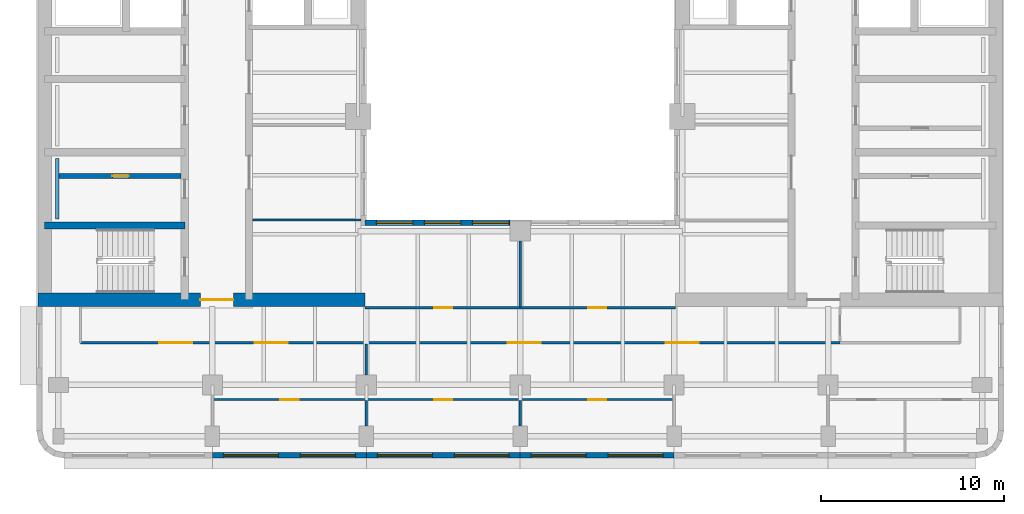
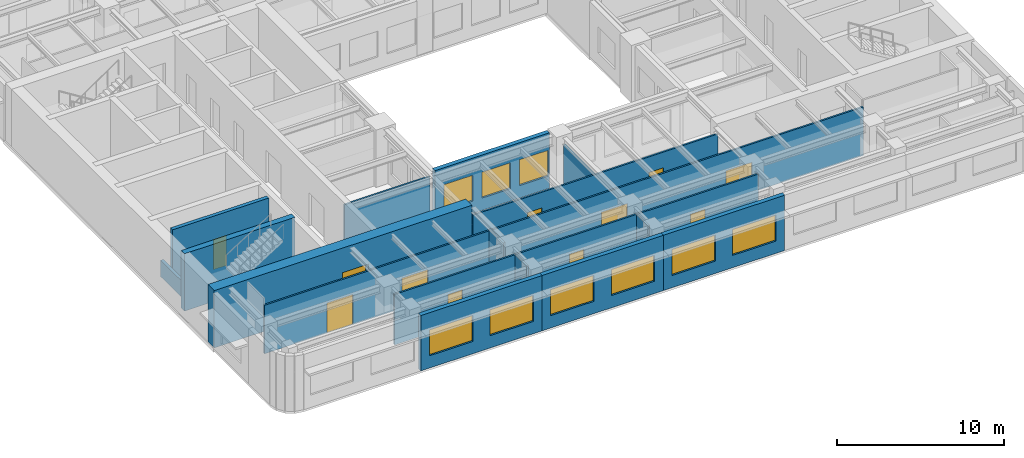
# One storey, part 3 of 11: 16 walls, 11 doors, 9 windows, 20 openings.
"""IFC4 building model written with IfcOpenShell, lengths in metres."""

from ifc_helpers import new_model, si_unit, direction, frame, frame_2d, origin, place, context, subcontext, project, spatial, rectangle, extrude, material, layer, layer_set, type_object, element, fill, save


model = new_model("IFC4")

# Units and contexts
model_context = context("Model", 3, precision=1e-05, world=origin(), true_north=direction((0.0, 1.0)))
body_context = subcontext(model_context, "Body", "Model", "MODEL_VIEW")
ifc_project = project(units=[si_unit("LENGTHUNIT", "METRE"), si_unit("AREAUNIT", "SQUARE_METRE"), si_unit("VOLUMEUNIT", "CUBIC_METRE"), si_unit("PLANEANGLEUNIT", "RADIAN"), si_unit("MASSUNIT", "GRAM", prefix="KILO")], contexts=[model_context])

# Site, building, storey
site_placement = place(None, origin())
site = spatial("IfcSite", under=ifc_project, at=site_placement, CompositionType="ELEMENT")
building_placement = place(site_placement, origin())
building = spatial("IfcBuilding", under=site, at=building_placement, Name="Claustro Exchange Tower", CompositionType="ELEMENT")
storey_placement = place(building_placement, frame((0.0, 0.0, 211.199951171875)))
storey = spatial("IfcBuildingStorey", under=building, at=storey_placement, Name="L48", CompositionType="ELEMENT", Elevation=211.199951171875)

# Wall
ifc_material_1 = material(Name="Laminated glass in aluminium frame", Category="aluminium")
ifc_layer_1 = layer(ifc_material_1, 0.1201171875)
ifc_layer_set_1 = layer_set([ifc_layer_1], Name="Laminated glass in aluminium frame")
wall_type_1 = type_object("IfcWallType", Name="P2 120 glazed partition", PredefinedType="PARTITIONING", material=ifc_layer_set_1)
wall_1_placement = place(storey_placement, frame((10.597900390625, 17.39990234375, 0.0), z_axis=(0.0, 0.0, 1.0), x_axis=(1.0, 0.0, 0.0)))
element("IfcWall", 1, at=wall_1_placement, inside=storey, type_object=wall_type_1, Name="Partition P2 L48", PredefinedType="PARTITIONING", context=body_context, shape_type="SweptSolid", body=[
    extrude(rectangle(XDim=5.904052734375, YDim=0.1201171875, at=frame_2d((2.9521484375, 0.0))), origin(), (0.0, 0.0, 1.0), 3.550048828125),
])

# Wall, openings, doors
wall_2_placement = place(storey_placement, frame((8.39990234375, 7.60009765625, 0.0), z_axis=(0.0, 0.0, 1.0), x_axis=(1.0, 0.0, 0.0)))
wall_2 = element("IfcWall", 2, at=wall_2_placement, inside=storey, type_object=wall_type_1, Name="Partition P2 L48", PredefinedType="PARTITIONING", context=body_context, shape_type="SweptSolid", body=[
    extrude(rectangle(XDim=25.2001953125, YDim=0.1201171875, at=frame_2d((12.60009765625, 0.0))), origin(), (0.0, 0.0, 1.0), 3.68994140625),
])
opening_1_placement = place(wall_2_placement, frame((3.699951171875, 0.0, 0.0)))
opening_1 = element("IfcOpeningElement", 3, at=opening_1_placement, cuts=wall_2, Name="Opening D7", PredefinedType="OPENING", context=body_context, shape_type="SweptSolid", body=[
    extrude(rectangle(XDim=1.0, YDim=2.39990234375, at=frame_2d((0.5, 1.199951171875))), frame((0.0, 0.070068359375, 0.0), z_axis=(0.0, -1.0, 0.0), x_axis=(1.0, 0.0, 0.0)), (0.0, 0.0, 1.0), 0.14013671875),
])
opening_2_placement = place(wall_2_placement, frame((12.10009765625, 0.0, 0.0)))
opening_2 = element("IfcOpeningElement", 4, at=opening_2_placement, cuts=wall_2, Name="Opening D7", PredefinedType="OPENING", context=body_context, shape_type="SweptSolid", body=[
    extrude(rectangle(XDim=1.0, YDim=2.39990234375, at=frame_2d((0.5, 1.199951171875))), frame((0.0, 0.070068359375, 0.0), z_axis=(0.0, -1.0, 0.0), x_axis=(1.0, 0.0, 0.0)), (0.0, 0.0, 1.0), 0.14013671875),
])
opening_3_placement = place(wall_2_placement, frame((20.5, 0.0, 0.0)))
opening_3 = element("IfcOpeningElement", 5, at=opening_3_placement, cuts=wall_2, Name="Opening D7", PredefinedType="OPENING", context=body_context, shape_type="SweptSolid", body=[
    extrude(rectangle(XDim=1.0, YDim=2.39990234375, at=frame_2d((0.5, 1.199951171875))), frame((0.0, 0.070068359375, 0.0), z_axis=(0.0, -1.0, 0.0), x_axis=(1.0, 0.0, 0.0)), (0.0, 0.0, 1.0), 0.14013671875),
])
ifc_material_2 = material(Name="Glass door in aluminium frame", Category="aluminium")
door_type_1 = type_object("IfcDoorType", Name="D7 1000 x 2400 glazed door", OperationType="SINGLE_SWING_LEFT", PredefinedType="DOOR", material=ifc_material_2)
door_1_placement = place(opening_1_placement, frame((1.0, 0.0, 0.0), z_axis=(0.0, 0.0, 1.0), x_axis=(-1.0, 0.0, 0.0)))
door_1 = element("IfcDoor", 6, at=door_1_placement, inside=storey, type_object=door_type_1, Name="Door D7 L48", OperationType="SINGLE_SWING_RIGHT", OverallHeight=2.39990234375, OverallWidth=1.0, PredefinedType="DOOR", context=body_context, shape_type="SweptSolid", body=[
    extrude(rectangle(XDim=1.0, YDim=2.39990234375, at=frame_2d((0.5, 1.199951171875))), frame((0.0, 0.02490234375, 0.0), z_axis=(0.0, -1.0, 0.0), x_axis=(1.0, 0.0, 0.0)), (0.0, 0.0, 1.0), 0.050048828125),
])
fill(opening_1, door_1)
door_2_placement = place(opening_2_placement, frame((1.0, 0.0, 0.0), z_axis=(0.0, 0.0, 1.0), x_axis=(-1.0, 0.0, 0.0)))
door_2 = element("IfcDoor", 7, at=door_2_placement, inside=storey, type_object=door_type_1, Name="Door D7 L48", OperationType="SINGLE_SWING_LEFT", OverallHeight=2.39990234375, OverallWidth=1.0, PredefinedType="DOOR", context=body_context, shape_type="SweptSolid", body=[
    extrude(rectangle(XDim=1.0, YDim=2.39990234375, at=frame_2d((0.5, 1.199951171875))), frame((0.0, 0.02490234375, 0.0), z_axis=(0.0, -1.0, 0.0), x_axis=(1.0, 0.0, 0.0)), (0.0, 0.0, 1.0), 0.050048828125),
])
fill(opening_2, door_2)
door_3_placement = place(opening_3_placement, frame((1.0, 0.0, 0.0), z_axis=(0.0, 0.0, 1.0), x_axis=(-1.0, 0.0, 0.0)))
door_3 = element("IfcDoor", 8, at=door_3_placement, inside=storey, type_object=door_type_1, Name="Door D7 L48", OperationType="SINGLE_SWING_RIGHT", OverallHeight=2.39990234375, OverallWidth=1.0, PredefinedType="DOOR", context=body_context, shape_type="SweptSolid", body=[
    extrude(rectangle(XDim=1.0, YDim=2.39990234375, at=frame_2d((0.5, 1.199951171875))), frame((0.0, 0.02490234375, 0.0), z_axis=(0.0, -1.0, 0.0), x_axis=(1.0, 0.0, 0.0)), (0.0, 0.0, 1.0), 0.050048828125),
])
fill(opening_3, door_3)

# Walls
for number, where, z_axis, x_axis, name in (
    (9, (16.800048828125, 6.14892578125, 0.0), (0.0, 0.0, 1.0), (0.0, 1.0, 0.0), "Partition P2 L48"),
    (10, (25.199951171875, 6.14892578125, 0.0), (0.0, 0.0, 1.0), (0.0, 1.0, 0.0), "Partition P2 L48"),
):
    element("IfcWall", number, at=place(storey_placement, frame(where, z_axis=z_axis, x_axis=x_axis)), inside=storey, type_object=wall_type_1, Name=name, PredefinedType="PARTITIONING", context=body_context, shape_type="SweptSolid", body=[
        extrude(rectangle(XDim=1.39306640625, YDim=0.1201171875, at=frame_2d((0.696533203125, 0.0))), origin(), (0.0, 0.0, 1.0), 3.68994140625),
    ])
wall_3_placement = place(storey_placement, frame((16.800048828125, 8.948974609375, 0.0), z_axis=(0.0, 0.0, 1.0), x_axis=(0.0, 1.0, 0.0)))
element("IfcWall", 11, at=wall_3_placement, inside=storey, type_object=wall_type_1, Name="Partition P2 L48", PredefinedType="PARTITIONING", context=body_context, shape_type="SweptSolid", body=[
    extrude(rectangle(XDim=1.693115234375, YDim=0.1201171875, at=frame_2d((0.8466796875, 0.0))), origin(), (0.0, 0.0, 1.0), 3.68994140625),
])

# Wall, openings, doors
wall_4_placement = place(storey_placement, frame((1.199951171875, 10.699951171875, 0.0), z_axis=(0.0, 0.0, 1.0), x_axis=(1.0, 0.0, 0.0)))
wall_4 = element("IfcWall", 12, at=wall_4_placement, inside=storey, type_object=wall_type_1, Name="Partition P2 L48", PredefinedType="PARTITIONING", context=body_context, shape_type="SweptSolid", body=[
    extrude(rectangle(XDim=41.4521484375, YDim=0.1201171875, at=frame_2d((20.72607421875, 0.0))), origin(), (0.0, 0.0, 1.0), 3.550048828125),
])
opening_4_placement = place(wall_4_placement, frame((4.300048828125, 0.0, 0.0)))
opening_4 = element("IfcOpeningElement", 13, at=opening_4_placement, cuts=wall_4, Name="Opening D2", PredefinedType="OPENING", context=body_context, shape_type="SweptSolid", body=[
    extrude(rectangle(XDim=1.800048828125, YDim=2.199951171875, at=frame_2d((0.89990234375, 1.10009765625))), frame((0.0, 0.070068359375, 0.0), z_axis=(0.0, -1.0, 0.0), x_axis=(1.0, 0.0, 0.0)), (0.0, 0.0, 1.0), 0.14013671875),
])
opening_5_placement = place(wall_4_placement, frame((9.5, 0.0, 0.0)))
opening_5 = element("IfcOpeningElement", 14, at=opening_5_placement, cuts=wall_4, Name="Opening D2", PredefinedType="OPENING", context=body_context, shape_type="SweptSolid", body=[
    extrude(rectangle(XDim=1.800048828125, YDim=2.199951171875, at=frame_2d((0.89990234375, 1.10009765625))), frame((0.0, 0.070068359375, 0.0), z_axis=(0.0, -1.0, 0.0), x_axis=(1.0, 0.0, 0.0)), (0.0, 0.0, 1.0), 0.14013671875),
])
opening_6_placement = place(wall_4_placement, frame((23.316650390625, 0.0, 0.0)))
opening_6 = element("IfcOpeningElement", 15, at=opening_6_placement, cuts=wall_4, Name="Opening D2", PredefinedType="OPENING", context=body_context, shape_type="SweptSolid", body=[
    extrude(rectangle(XDim=1.800048828125, YDim=2.199951171875, at=frame_2d((0.89990234375, 1.10009765625))), frame((0.0, 0.070068359375, 0.0), z_axis=(0.0, -1.0, 0.0), x_axis=(1.0, 0.0, 0.0)), (0.0, 0.0, 1.0), 0.14013671875),
])
opening_7_placement = place(wall_4_placement, frame((31.933349609375, 0.0, 0.0)))
opening_7 = element("IfcOpeningElement", 16, at=opening_7_placement, cuts=wall_4, Name="Opening D2", PredefinedType="OPENING", context=body_context, shape_type="SweptSolid", body=[
    extrude(rectangle(XDim=1.800048828125, YDim=2.199951171875, at=frame_2d((0.89990234375, 1.10009765625))), frame((0.0, 0.070068359375, 0.0), z_axis=(0.0, -1.0, 0.0), x_axis=(1.0, 0.0, 0.0)), (0.0, 0.0, 1.0), 0.14013671875),
])
ifc_material_3 = material(Name="Timber door, oak veneer", Category="wood")
door_type_2 = type_object("IfcDoorType", Name="D2 1800 x 2200 double door", OperationType="DOUBLE_DOOR_SINGLE_SWING", PredefinedType="DOOR", material=ifc_material_3)
door_4_placement = place(opening_4_placement, frame((1.800048828125, 0.0, 0.0), z_axis=(0.0, 0.0, 1.0), x_axis=(-1.0, 0.0, 0.0)))
door_4 = element("IfcDoor", 17, at=door_4_placement, inside=storey, type_object=door_type_2, Name="Double door D2 L48", OperationType="DOUBLE_DOOR_SINGLE_SWING", OverallHeight=2.199951171875, OverallWidth=1.800048828125, PredefinedType="DOOR", context=body_context, shape_type="SweptSolid", body=[
    extrude(rectangle(XDim=1.800048828125, YDim=2.199951171875, at=frame_2d((0.89990234375, 1.10009765625))), frame((0.0, 0.02490234375, 0.0), z_axis=(0.0, -1.0, 0.0), x_axis=(1.0, 0.0, 0.0)), (0.0, 0.0, 1.0), 0.050048828125),
])
fill(opening_4, door_4)
door_5_placement = place(opening_5_placement, frame((1.800048828125, 0.0, 0.0), z_axis=(0.0, 0.0, 1.0), x_axis=(-1.0, 0.0, 0.0)))
door_5 = element("IfcDoor", 18, at=door_5_placement, inside=storey, type_object=door_type_2, Name="Double door D2 L48", OperationType="DOUBLE_DOOR_SINGLE_SWING", OverallHeight=2.199951171875, OverallWidth=1.800048828125, PredefinedType="DOOR", context=body_context, shape_type="SweptSolid", body=[
    extrude(rectangle(XDim=1.800048828125, YDim=2.199951171875, at=frame_2d((0.89990234375, 1.10009765625))), frame((0.0, 0.02490234375, 0.0), z_axis=(0.0, -1.0, 0.0), x_axis=(1.0, 0.0, 0.0)), (0.0, 0.0, 1.0), 0.050048828125),
])
fill(opening_5, door_5)
door_6_placement = place(opening_6_placement, frame((1.800048828125, 0.0, 0.0), z_axis=(0.0, 0.0, 1.0), x_axis=(-1.0, 0.0, 0.0)))
door_6 = element("IfcDoor", 19, at=door_6_placement, inside=storey, type_object=door_type_2, Name="Double door D2 L48", OperationType="DOUBLE_DOOR_SINGLE_SWING", OverallHeight=2.199951171875, OverallWidth=1.800048828125, PredefinedType="DOOR", context=body_context, shape_type="SweptSolid", body=[
    extrude(rectangle(XDim=1.800048828125, YDim=2.199951171875, at=frame_2d((0.89990234375, 1.10009765625))), frame((0.0, 0.02490234375, 0.0), z_axis=(0.0, -1.0, 0.0), x_axis=(1.0, 0.0, 0.0)), (0.0, 0.0, 1.0), 0.050048828125),
])
fill(opening_6, door_6)
door_7_placement = place(opening_7_placement, frame((1.800048828125, 0.0, 0.0), z_axis=(0.0, 0.0, 1.0), x_axis=(-1.0, 0.0, 0.0)))
door_7 = element("IfcDoor", 20, at=door_7_placement, inside=storey, type_object=door_type_2, Name="Double door D2 L48", OperationType="DOUBLE_DOOR_SINGLE_SWING", OverallHeight=2.199951171875, OverallWidth=1.800048828125, PredefinedType="DOOR", context=body_context, shape_type="SweptSolid", body=[
    extrude(rectangle(XDim=1.800048828125, YDim=2.199951171875, at=frame_2d((0.89990234375, 1.10009765625))), frame((0.0, 0.02490234375, 0.0), z_axis=(0.0, -1.0, 0.0), x_axis=(1.0, 0.0, 0.0)), (0.0, 0.0, 1.0), 0.050048828125),
])
fill(opening_7, door_7)

# Wall
wall_5_placement = place(storey_placement, frame((25.199951171875, 12.657958984375, 0.0), z_axis=(0.0, 0.0, 1.0), x_axis=(0.0, 1.0, 0.0)))
element("IfcWall", 21, at=wall_5_placement, inside=storey, type_object=wall_type_1, Name="Partition P2 L48", PredefinedType="PARTITIONING", context=body_context, shape_type="SweptSolid", body=[
    extrude(rectangle(XDim=3.593017578125, YDim=0.1201171875, at=frame_2d((1.79638671875, 0.0))), origin(), (0.0, 0.0, 1.0), 3.550048828125),
])

# Wall, openings, doors
wall_6_placement = place(storey_placement, frame((16.72509765625, 12.614990234375, 0.0), z_axis=(0.0, 0.0, 1.0), x_axis=(1.0, 0.0, 0.0)))
wall_6 = element("IfcWall", 22, at=wall_6_placement, inside=storey, type_object=wall_type_1, Name="Partition P2 L48", PredefinedType="PARTITIONING", context=body_context, shape_type="SweptSolid", body=[
    extrude(rectangle(XDim=16.949951171875, YDim=0.1201171875, at=frame_2d((8.47509765625, 0.0))), origin(), (0.0, 0.0, 1.0), 3.550048828125),
])
opening_8_placement = place(wall_6_placement, frame((3.77490234375, 0.0, 0.0)))
opening_8 = element("IfcOpeningElement", 23, at=opening_8_placement, cuts=wall_6, Name="Opening D7", PredefinedType="OPENING", context=body_context, shape_type="SweptSolid", body=[
    extrude(rectangle(XDim=1.0, YDim=2.39990234375, at=frame_2d((0.5, 1.199951171875))), frame((0.0, 0.070068359375, 0.0), z_axis=(0.0, -1.0, 0.0), x_axis=(1.0, 0.0, 0.0)), (0.0, 0.0, 1.0), 0.14013671875),
])
opening_9_placement = place(wall_6_placement, frame((12.175048828125, 0.0, 0.0)))
opening_9 = element("IfcOpeningElement", 24, at=opening_9_placement, cuts=wall_6, Name="Opening D7", PredefinedType="OPENING", context=body_context, shape_type="SweptSolid", body=[
    extrude(rectangle(XDim=1.0, YDim=2.39990234375, at=frame_2d((0.5, 1.199951171875))), frame((0.0, 0.070068359375, 0.0), z_axis=(0.0, -1.0, 0.0), x_axis=(1.0, 0.0, 0.0)), (0.0, 0.0, 1.0), 0.14013671875),
])
door_8_placement = place(opening_8_placement, origin())
door_8 = element("IfcDoor", 25, at=door_8_placement, inside=storey, type_object=door_type_1, Name="Door D7 L48", OperationType="SINGLE_SWING_RIGHT", OverallHeight=2.39990234375, OverallWidth=1.0, PredefinedType="DOOR", context=body_context, shape_type="SweptSolid", body=[
    extrude(rectangle(XDim=1.0, YDim=2.39990234375, at=frame_2d((0.5, 1.199951171875))), frame((0.0, 0.02490234375, 0.0), z_axis=(0.0, -1.0, 0.0), x_axis=(1.0, 0.0, 0.0)), (0.0, 0.0, 1.0), 0.050048828125),
])
fill(opening_8, door_8)
door_9_placement = place(opening_9_placement, origin())
door_9 = element("IfcDoor", 26, at=door_9_placement, inside=storey, type_object=door_type_1, Name="Door D7 L48", OperationType="SINGLE_SWING_RIGHT", OverallHeight=2.39990234375, OverallWidth=1.0, PredefinedType="DOOR", context=body_context, shape_type="SweptSolid", body=[
    extrude(rectangle(XDim=1.0, YDim=2.39990234375, at=frame_2d((0.5, 1.199951171875))), frame((0.0, 0.02490234375, 0.0), z_axis=(0.0, -1.0, 0.0), x_axis=(1.0, 0.0, 0.0)), (0.0, 0.0, 1.0), 0.050048828125),
])
fill(opening_9, door_9)

# Wall, opening, door
ifc_material_4 = material(Name="Concrete blockwork, rendered", Category="masonry")
ifc_layer_2 = layer(ifc_material_4, 0.25)
ifc_layer_set_2 = layer_set([ifc_layer_2], Name="Concrete blockwork, rendered")
wall_type_2 = type_object("IfcWallType", Name="P4 250 blockwork wall", PredefinedType="PARTITIONING", material=ifc_layer_set_2)
wall_7_placement = place(storey_placement, frame((0.02490234375, 19.800048828125, 0.0), z_axis=(0.0, 0.0, 1.0), x_axis=(1.0, 0.0, 0.0)))
wall_7 = element("IfcWall", 27, at=wall_7_placement, inside=storey, type_object=wall_type_2, Name="Partition P4 L48", PredefinedType="PARTITIONING", context=body_context, shape_type="SweptSolid", body=[
    extrude(rectangle(XDim=6.675048828125, YDim=0.25, at=frame_2d((3.33740234375, 0.0))), origin(), (0.0, 0.0, 1.0), 4.0),
])
opening_10_placement = place(wall_7_placement, frame((2.91259765625, 0.0, 0.0)))
opening_10 = element("IfcOpeningElement", 28, at=opening_10_placement, cuts=wall_7, Name="Opening D5", PredefinedType="OPENING", context=body_context, shape_type="SweptSolid", body=[
    extrude(rectangle(XDim=0.89990234375, YDim=2.199951171875, at=frame_2d((0.449951171875, 1.10009765625))), frame((0.0, 0.135009765625, 0.0), z_axis=(0.0, -1.0, 0.0), x_axis=(1.0, 0.0, 0.0)), (0.0, 0.0, 1.0), 0.27001953125),
])
ifc_material_5 = material(Name="Steel door, painted", Category="steel")
door_type_3 = type_object("IfcDoorType", Name="D5 900 x 2200 store door", OperationType="SINGLE_SWING_LEFT", PredefinedType="DOOR", material=ifc_material_5)
door_10_placement = place(opening_10_placement, origin())
door_10 = element("IfcDoor", 29, at=door_10_placement, inside=storey, type_object=door_type_3, Name="Store door D5 L48", OperationType="SINGLE_SWING_RIGHT", OverallHeight=2.199951171875, OverallWidth=0.89990234375, PredefinedType="DOOR", context=body_context, shape_type="SweptSolid", body=[
    extrude(rectangle(XDim=0.89990234375, YDim=2.199951171875, at=frame_2d((0.449951171875, 1.10009765625))), frame((0.0, 0.02490234375, 0.0), z_axis=(0.0, -1.0, 0.0), x_axis=(1.0, 0.0, 0.0)), (0.0, 0.0, 1.0), 0.050048828125),
])
fill(opening_10, door_10)

# Wall, openings, windows
ifc_material_6 = material(Name="Concrete HA-40 (C40/50), precast, white cement, acid-etched", Category="concrete")
ifc_layer_3 = layer(ifc_material_6, 0.300048828125)
ifc_layer_set_3 = layer_set([ifc_layer_3], Name="Concrete HA-40 (C40/50), precast, white cement, acid-etched")
wall_type_3 = type_object("IfcWallType", Name="PC1 300 precast concrete pier panel", PredefinedType="SOLIDWALL", material=ifc_layer_set_3)
wall_8_placement = place(storey_placement, frame((33.60009765625, 4.550048828125, 0.0), z_axis=(0.0, 0.0, 1.0), x_axis=(-1.0, 0.0, 0.0)))
wall_8 = element("IfcWall", 30, at=wall_8_placement, inside=storey, type_object=wall_type_3, Name="Precast pier panel PC1 L48", PredefinedType="SOLIDWALL", context=body_context, shape_type="SweptSolid", body=[
    extrude(rectangle(XDim=8.400146484375, YDim=0.300048828125, at=frame_2d((4.2001953125, 0.0))), origin(), (0.0, 0.0, 1.0), 4.050048828125),
])
opening_11_placement = place(wall_8_placement, frame((0.60009765625, 0.0, 0.89990234375)))
opening_11 = element("IfcOpeningElement", 31, at=opening_11_placement, cuts=wall_8, Name="Opening W1", PredefinedType="OPENING", context=body_context, shape_type="SweptSolid", body=[
    extrude(rectangle(XDim=3.0, YDim=1.89990234375, at=frame_2d((1.5, 0.949951171875))), frame((0.0, 0.159912109375, 0.0), z_axis=(0.0, -1.0, 0.0), x_axis=(1.0, 0.0, 0.0)), (0.0, 0.0, 1.0), 0.320068359375),
])
opening_12_placement = place(wall_8_placement, frame((4.800048828125, 0.0, 0.89990234375)))
opening_12 = element("IfcOpeningElement", 32, at=opening_12_placement, cuts=wall_8, Name="Opening W1", PredefinedType="OPENING", context=body_context, shape_type="SweptSolid", body=[
    extrude(rectangle(XDim=3.0, YDim=1.89990234375, at=frame_2d((1.5, 0.949951171875))), frame((0.0, 0.159912109375, 0.0), z_axis=(0.0, -1.0, 0.0), x_axis=(1.0, 0.0, 0.0)), (0.0, 0.0, 1.0), 0.320068359375),
])
ifc_material_7 = material(Name="Aluminium frame, clear double glazing", Category="aluminium")
window_type_1 = type_object("IfcWindowType", Name="W1 3000 x 1900 window", PartitioningType="SINGLE_PANEL", PredefinedType="WINDOW", material=ifc_material_7)
window_1_placement = place(opening_11_placement, origin())
window_1 = element("IfcWindow", 33, at=window_1_placement, inside=storey, type_object=window_type_1, Name="Window W1 L48", OverallHeight=1.89990234375, OverallWidth=3.0, PartitioningType="SINGLE_PANEL", PredefinedType="WINDOW", context=body_context, shape_type="SweptSolid", body=[
    extrude(rectangle(XDim=3.0, YDim=1.89990234375, at=frame_2d((1.5, 0.949951171875))), frame((0.0, 0.030029296875, 0.0), z_axis=(0.0, -1.0, 0.0), x_axis=(1.0, 0.0, 0.0)), (0.0, 0.0, 1.0), 0.06005859375),
])
fill(opening_11, window_1)
window_2_placement = place(opening_12_placement, origin())
window_2 = element("IfcWindow", 34, at=window_2_placement, inside=storey, type_object=window_type_1, Name="Window W1 L48", OverallHeight=1.89990234375, OverallWidth=3.0, PartitioningType="SINGLE_PANEL", PredefinedType="WINDOW", context=body_context, shape_type="SweptSolid", body=[
    extrude(rectangle(XDim=3.0, YDim=1.89990234375, at=frame_2d((1.5, 0.949951171875))), frame((0.0, 0.030029296875, 0.0), z_axis=(0.0, -1.0, 0.0), x_axis=(1.0, 0.0, 0.0)), (0.0, 0.0, 1.0), 0.06005859375),
])
fill(opening_12, window_2)

wall_9_placement = place(storey_placement, frame((25.199951171875, 4.550048828125, 0.0), z_axis=(0.0, 0.0, 1.0), x_axis=(-1.0, 0.0, 0.0)))
wall_9 = element("IfcWall", 35, at=wall_9_placement, inside=storey, type_object=wall_type_3, Name="Precast pier panel PC1 L48", PredefinedType="SOLIDWALL", context=body_context, shape_type="SweptSolid", body=[
    extrude(rectangle(XDim=8.39990234375, YDim=0.300048828125, at=frame_2d((4.199951171875, 0.0))), origin(), (0.0, 0.0, 1.0), 4.050048828125),
])
opening_13_placement = place(wall_9_placement, frame((0.60009765625, 0.0, 0.89990234375)))
opening_13 = element("IfcOpeningElement", 36, at=opening_13_placement, cuts=wall_9, Name="Opening W1", PredefinedType="OPENING", context=body_context, shape_type="SweptSolid", body=[
    extrude(rectangle(XDim=3.0, YDim=1.89990234375, at=frame_2d((1.5, 0.949951171875))), frame((0.0, 0.159912109375, 0.0), z_axis=(0.0, -1.0, 0.0), x_axis=(1.0, 0.0, 0.0)), (0.0, 0.0, 1.0), 0.320068359375),
])
opening_14_placement = place(wall_9_placement, frame((4.800048828125, 0.0, 0.89990234375)))
opening_14 = element("IfcOpeningElement", 37, at=opening_14_placement, cuts=wall_9, Name="Opening W1", PredefinedType="OPENING", context=body_context, shape_type="SweptSolid", body=[
    extrude(rectangle(XDim=3.0, YDim=1.89990234375, at=frame_2d((1.5, 0.949951171875))), frame((0.0, 0.159912109375, 0.0), z_axis=(0.0, -1.0, 0.0), x_axis=(1.0, 0.0, 0.0)), (0.0, 0.0, 1.0), 0.320068359375),
])
window_3_placement = place(opening_13_placement, origin())
window_3 = element("IfcWindow", 38, at=window_3_placement, inside=storey, type_object=window_type_1, Name="Window W1 L48", OverallHeight=1.89990234375, OverallWidth=3.0, PartitioningType="SINGLE_PANEL", PredefinedType="WINDOW", context=body_context, shape_type="SweptSolid", body=[
    extrude(rectangle(XDim=3.0, YDim=1.89990234375, at=frame_2d((1.5, 0.949951171875))), frame((0.0, 0.030029296875, 0.0), z_axis=(0.0, -1.0, 0.0), x_axis=(1.0, 0.0, 0.0)), (0.0, 0.0, 1.0), 0.06005859375),
])
fill(opening_13, window_3)
window_4_placement = place(opening_14_placement, origin())
window_4 = element("IfcWindow", 39, at=window_4_placement, inside=storey, type_object=window_type_1, Name="Window W1 L48", OverallHeight=1.89990234375, OverallWidth=3.0, PartitioningType="SINGLE_PANEL", PredefinedType="WINDOW", context=body_context, shape_type="SweptSolid", body=[
    extrude(rectangle(XDim=3.0, YDim=1.89990234375, at=frame_2d((1.5, 0.949951171875))), frame((0.0, 0.030029296875, 0.0), z_axis=(0.0, -1.0, 0.0), x_axis=(1.0, 0.0, 0.0)), (0.0, 0.0, 1.0), 0.06005859375),
])
fill(opening_14, window_4)

wall_10_placement = place(storey_placement, frame((16.800048828125, 4.550048828125, 0.0), z_axis=(0.0, 0.0, 1.0), x_axis=(-1.0, 0.0, 0.0)))
wall_10 = element("IfcWall", 40, at=wall_10_placement, inside=storey, type_object=wall_type_3, Name="Precast pier panel PC1 L48", PredefinedType="SOLIDWALL", context=body_context, shape_type="SweptSolid", body=[
    extrude(rectangle(XDim=8.400146484375, YDim=0.300048828125, at=frame_2d((4.2001953125, 0.0))), origin(), (0.0, 0.0, 1.0), 4.050048828125),
])
opening_15_placement = place(wall_10_placement, frame((0.60009765625, 0.0, 0.89990234375)))
opening_15 = element("IfcOpeningElement", 41, at=opening_15_placement, cuts=wall_10, Name="Opening W1", PredefinedType="OPENING", context=body_context, shape_type="SweptSolid", body=[
    extrude(rectangle(XDim=3.0, YDim=1.89990234375, at=frame_2d((1.5, 0.949951171875))), frame((0.0, 0.159912109375, 0.0), z_axis=(0.0, -1.0, 0.0), x_axis=(1.0, 0.0, 0.0)), (0.0, 0.0, 1.0), 0.320068359375),
])
opening_16_placement = place(wall_10_placement, frame((4.800048828125, 0.0, 0.89990234375)))
opening_16 = element("IfcOpeningElement", 42, at=opening_16_placement, cuts=wall_10, Name="Opening W1", PredefinedType="OPENING", context=body_context, shape_type="SweptSolid", body=[
    extrude(rectangle(XDim=3.0, YDim=1.89990234375, at=frame_2d((1.5, 0.949951171875))), frame((0.0, 0.159912109375, 0.0), z_axis=(0.0, -1.0, 0.0), x_axis=(1.0, 0.0, 0.0)), (0.0, 0.0, 1.0), 0.320068359375),
])
window_5_placement = place(opening_15_placement, origin())
window_5 = element("IfcWindow", 43, at=window_5_placement, inside=storey, type_object=window_type_1, Name="Window W1 L48", OverallHeight=1.89990234375, OverallWidth=3.0, PartitioningType="SINGLE_PANEL", PredefinedType="WINDOW", context=body_context, shape_type="SweptSolid", body=[
    extrude(rectangle(XDim=3.0, YDim=1.89990234375, at=frame_2d((1.5, 0.949951171875))), frame((0.0, 0.030029296875, 0.0), z_axis=(0.0, -1.0, 0.0), x_axis=(1.0, 0.0, 0.0)), (0.0, 0.0, 1.0), 0.06005859375),
])
fill(opening_15, window_5)
window_6_placement = place(opening_16_placement, origin())
window_6 = element("IfcWindow", 44, at=window_6_placement, inside=storey, type_object=window_type_1, Name="Window W1 L48", OverallHeight=1.89990234375, OverallWidth=3.0, PartitioningType="SINGLE_PANEL", PredefinedType="WINDOW", context=body_context, shape_type="SweptSolid", body=[
    extrude(rectangle(XDim=3.0, YDim=1.89990234375, at=frame_2d((1.5, 0.949951171875))), frame((0.0, 0.030029296875, 0.0), z_axis=(0.0, -1.0, 0.0), x_axis=(1.0, 0.0, 0.0)), (0.0, 0.0, 1.0), 0.06005859375),
])
fill(opening_16, window_6)

wall_11_placement = place(storey_placement, frame((16.72509765625, 17.25, 0.0), z_axis=(0.0, 0.0, 1.0), x_axis=(1.0, 0.0, 0.0)))
wall_11 = element("IfcWall", 45, at=wall_11_placement, inside=storey, type_object=wall_type_3, Name="Precast pier panel PC1 L48", PredefinedType="SOLIDWALL", context=body_context, shape_type="SweptSolid", body=[
    extrude(rectangle(XDim=7.9248046875, YDim=0.300048828125, at=frame_2d((3.96240234375, 0.0))), origin(), (0.0, 0.0, 1.0), 4.050048828125),
])
opening_17_placement = place(wall_11_placement, frame((0.61865234375, 0.0, 0.89990234375)))
opening_17 = element("IfcOpeningElement", 46, at=opening_17_placement, cuts=wall_11, Name="Opening W4", PredefinedType="OPENING", context=body_context, shape_type="SweptSolid", body=[
    extrude(rectangle(XDim=2.0, YDim=1.89990234375, at=frame_2d((1.0, 0.949951171875))), frame((0.0, 0.159912109375, 0.0), z_axis=(0.0, -1.0, 0.0), x_axis=(1.0, 0.0, 0.0)), (0.0, 0.0, 1.0), 0.320068359375),
])
opening_18_placement = place(wall_11_placement, frame((3.237548828125, 0.0, 0.89990234375)))
opening_18 = element("IfcOpeningElement", 47, at=opening_18_placement, cuts=wall_11, Name="Opening W4", PredefinedType="OPENING", context=body_context, shape_type="SweptSolid", body=[
    extrude(rectangle(XDim=2.0, YDim=1.89990234375, at=frame_2d((1.0, 0.949951171875))), frame((0.0, 0.159912109375, 0.0), z_axis=(0.0, -1.0, 0.0), x_axis=(1.0, 0.0, 0.0)), (0.0, 0.0, 1.0), 0.320068359375),
])
opening_19_placement = place(wall_11_placement, frame((5.856201171875, 0.0, 0.89990234375)))
opening_19 = element("IfcOpeningElement", 48, at=opening_19_placement, cuts=wall_11, Name="Opening W4", PredefinedType="OPENING", context=body_context, shape_type="SweptSolid", body=[
    extrude(rectangle(XDim=2.0, YDim=1.89990234375, at=frame_2d((1.0, 0.949951171875))), frame((0.0, 0.159912109375, 0.0), z_axis=(0.0, -1.0, 0.0), x_axis=(1.0, 0.0, 0.0)), (0.0, 0.0, 1.0), 0.320068359375),
])
ifc_material_8 = material(Name="Aluminium frame, clear double glazing", Category="aluminium")
window_type_2 = type_object("IfcWindowType", Name="W4 2000 x 1900 light well window", PartitioningType="SINGLE_PANEL", PredefinedType="WINDOW", material=ifc_material_8)
window_7_placement = place(opening_17_placement, origin())
window_7 = element("IfcWindow", 49, at=window_7_placement, inside=storey, type_object=window_type_2, Name="Window W4 L48", OverallHeight=1.89990234375, OverallWidth=2.0, PartitioningType="SINGLE_PANEL", PredefinedType="WINDOW", context=body_context, shape_type="SweptSolid", body=[
    extrude(rectangle(XDim=2.0, YDim=1.89990234375, at=frame_2d((1.0, 0.949951171875))), frame((0.0, 0.030029296875, 0.0), z_axis=(0.0, -1.0, 0.0), x_axis=(1.0, 0.0, 0.0)), (0.0, 0.0, 1.0), 0.06005859375),
])
fill(opening_17, window_7)
window_8_placement = place(opening_18_placement, origin())
window_8 = element("IfcWindow", 50, at=window_8_placement, inside=storey, type_object=window_type_2, Name="Window W4 L48", OverallHeight=1.89990234375, OverallWidth=2.0, PartitioningType="SINGLE_PANEL", PredefinedType="WINDOW", context=body_context, shape_type="SweptSolid", body=[
    extrude(rectangle(XDim=2.0, YDim=1.89990234375, at=frame_2d((1.0, 0.949951171875))), frame((0.0, 0.030029296875, 0.0), z_axis=(0.0, -1.0, 0.0), x_axis=(1.0, 0.0, 0.0)), (0.0, 0.0, 1.0), 0.06005859375),
])
fill(opening_18, window_8)
window_9_placement = place(opening_19_placement, origin())
window_9 = element("IfcWindow", 51, at=window_9_placement, inside=storey, type_object=window_type_2, Name="Window W4 L48", OverallHeight=1.89990234375, OverallWidth=2.0, PartitioningType="SINGLE_PANEL", PredefinedType="WINDOW", context=body_context, shape_type="SweptSolid", body=[
    extrude(rectangle(XDim=2.0, YDim=1.89990234375, at=frame_2d((1.0, 0.949951171875))), frame((0.0, 0.030029296875, 0.0), z_axis=(0.0, -1.0, 0.0), x_axis=(1.0, 0.0, 0.0)), (0.0, 0.0, 1.0), 0.06005859375),
])
fill(opening_19, window_9)

# Wall
ifc_material_9 = material(Name="Gypsum board on steel studs, tiled", Category="steel")
ifc_layer_4 = layer(ifc_material_9, 0.199951171875)
ifc_layer_set_4 = layer_set([ifc_layer_4], Name="Gypsum board on steel studs, tiled")
wall_type_4 = type_object("IfcWallType", Name="PW1 200 WC duct wall", PredefinedType="PLUMBINGWALL", material=ifc_layer_set_4)
wall_12_placement = place(storey_placement, frame((-0.074951171875, 17.449951171875, 0.0), z_axis=(0.0, 0.0, 1.0), x_axis=(0.0, 1.0, 0.0)))
element("IfcWall", 52, at=wall_12_placement, inside=storey, type_object=wall_type_4, Name="WC duct wall PW1 L48", PredefinedType="PLUMBINGWALL", context=body_context, shape_type="SweptSolid", body=[
    extrude(rectangle(XDim=3.300048828125, YDim=0.199951171875, at=frame_2d((1.64990234375, 0.0))), origin(), (0.0, 0.0, 1.0), 1.199951171875),
])

# Wall, opening, door
ifc_material_10 = material(Name="Concrete HA-70 (C70/85)", Category="concrete")
ifc_layer_5 = layer(ifc_material_10, 0.75)
ifc_layer_set_5 = layer_set([ifc_layer_5], Name="Concrete HA-70 (C70/85)")
wall_type_5 = type_object("IfcWallType", Name="SW2 750 core shear wall", PredefinedType="SHEAR", material=ifc_layer_set_5)
wall_13_placement = place(storey_placement, frame((-1.125, 13.050048828125, 0.0), z_axis=(0.0, 0.0, 1.0), x_axis=(1.0, 0.0, 0.0)))
wall_13 = element("IfcWall", 53, at=wall_13_placement, inside=storey, type_object=wall_type_5, Name="Core wall SW2 W core S face L48", PredefinedType="SHEAR", context=body_context, shape_type="SweptSolid", body=[
    extrude(rectangle(XDim=17.85009765625, YDim=0.75, at=frame_2d((8.925048828125, 0.0))), origin(), (0.0, 0.0, 1.0), 4.199951171875),
])
opening_20_placement = place(wall_13_placement, frame((8.875, 0.0, 0.0)))
opening_20 = element("IfcOpeningElement", 54, at=opening_20_placement, cuts=wall_13, Name="Opening D3", PredefinedType="OPENING", context=body_context, shape_type="SweptSolid", body=[
    extrude(rectangle(XDim=1.800048828125, YDim=2.39990234375, at=frame_2d((0.89990234375, 1.199951171875))), frame((0.0, 0.385009765625, 0.0), z_axis=(0.0, -1.0, 0.0), x_axis=(1.0, 0.0, 0.0)), (0.0, 0.0, 1.0), 0.77001953125),
])
ifc_material_11 = material(Name="Steel fire door, painted", Category="steel")
door_type_4 = type_object("IfcDoorType", Name="D3 1800 x 2400 fire-rated lobby double door", OperationType="DOUBLE_DOOR_SINGLE_SWING", PredefinedType="DOOR", material=ifc_material_11)
door_11_placement = place(opening_20_placement, origin())
door_11 = element("IfcDoor", 55, at=door_11_placement, inside=storey, type_object=door_type_4, Name="Lift lobby door D3 L48", OperationType="DOUBLE_DOOR_SINGLE_SWING", OverallHeight=2.39990234375, OverallWidth=1.800048828125, PredefinedType="DOOR", context=body_context, shape_type="SweptSolid", body=[
    extrude(rectangle(XDim=1.800048828125, YDim=2.39990234375, at=frame_2d((0.89990234375, 1.199951171875))), frame((0.0, 0.02490234375, 0.0), z_axis=(0.0, -1.0, 0.0), x_axis=(1.0, 0.0, 0.0)), (0.0, 0.0, 1.0), 0.050048828125),
])
fill(opening_20, door_11)

# Wall
ifc_material_12 = material(Name="Concrete HA-50 (C50/60)", Category="concrete")
ifc_layer_6 = layer(ifc_material_12, 0.39990234375)
ifc_layer_set_6 = layer_set([ifc_layer_6], Name="Concrete HA-50 (C50/60)")
wall_type_6 = type_object("IfcWallType", Name="SW4 400 internal core wall", PredefinedType="SHEAR", material=ifc_layer_set_6)
wall_14_placement = place(storey_placement, frame((-0.75, 17.10009765625, 0.0), z_axis=(0.0, 0.0, 1.0), x_axis=(1.0, 0.0, 0.0)))
element("IfcWall", 56, at=wall_14_placement, inside=storey, type_object=wall_type_6, Name="Internal core wall SW4 W core L48", PredefinedType="SHEAR", context=body_context, shape_type="SweptSolid", body=[
    extrude(rectangle(XDim=7.64990234375, YDim=0.39990234375, at=frame_2d((3.824951171875, 0.0))), origin(), (0.0, 0.0, 1.0), 4.199951171875),
])

save(model, "model.ifc")
